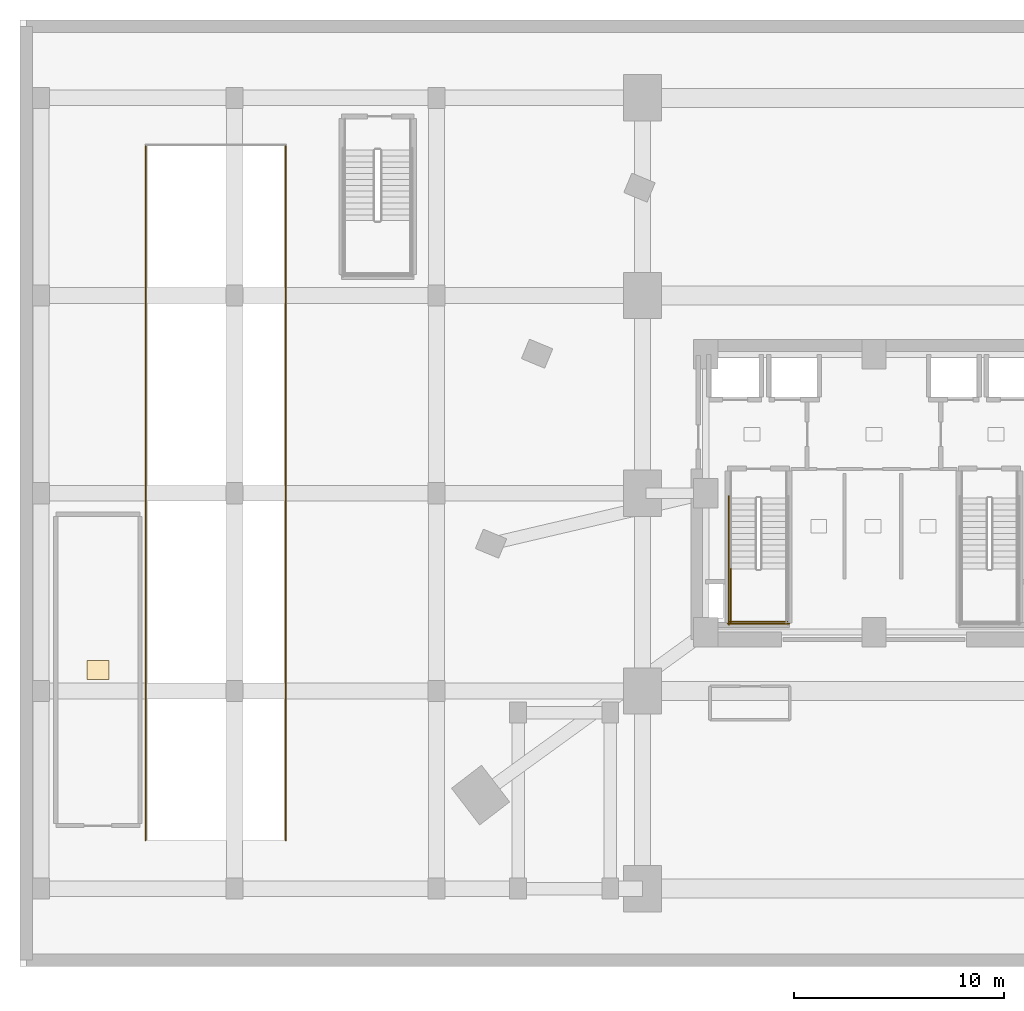
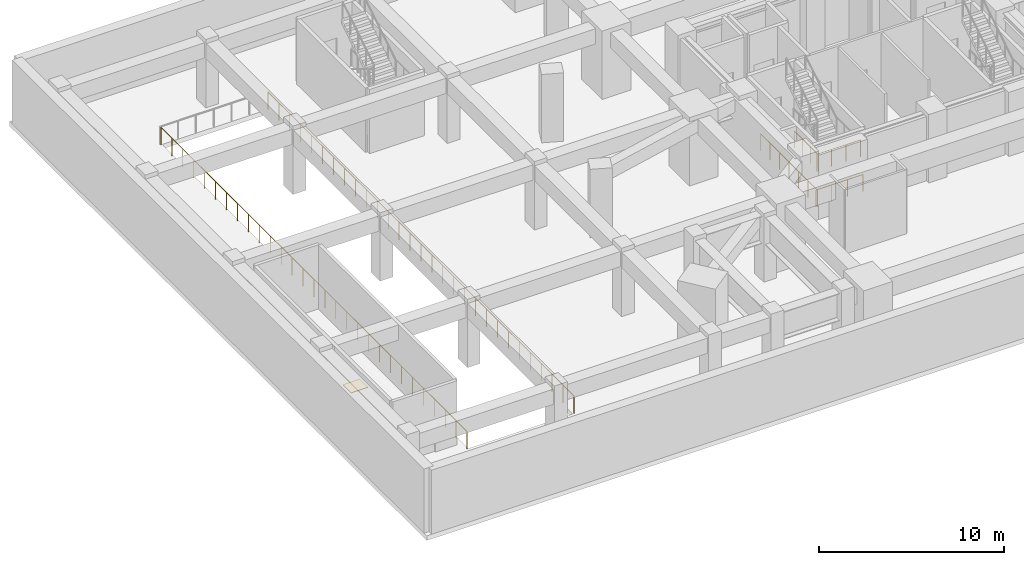
# One storey, part 5 of 9: 6 railings, 1 covering.
"""IFC4 building model written with IfcOpenShell, lengths in metres."""

from ifc_helpers import new_model, si_unit, direction, frame, origin, origin_2d, place, context, subcontext, project, spatial, rectangle, circle, extrude, material, layer, layer_set, type_object, element, save


model = new_model("IFC4")

# Units and contexts
model_context = context("Model", 3, precision=1e-05, world=origin(), true_north=direction((0.0, 1.0)))
body_context = subcontext(model_context, "Body", "Model", "MODEL_VIEW")
ifc_project = project(units=[si_unit("LENGTHUNIT", "METRE"), si_unit("AREAUNIT", "SQUARE_METRE"), si_unit("VOLUMEUNIT", "CUBIC_METRE"), si_unit("PLANEANGLEUNIT", "RADIAN"), si_unit("MASSUNIT", "GRAM", prefix="KILO")], contexts=[model_context])

# Site, building, storey
site_placement = place(None, origin())
site = spatial("IfcSite", under=ifc_project, at=site_placement, CompositionType="ELEMENT")
building_placement = place(site_placement, origin())
building = spatial("IfcBuilding", under=site, at=building_placement, Name="Ndelora Gate Hotel", CompositionType="ELEMENT")
storey_placement = place(building_placement, frame((0.0, 0.0, -4.5)))
storey = spatial("IfcBuildingStorey", under=building, at=storey_placement, Name="B01", CompositionType="ELEMENT", Elevation=-4.5)

# Covering
ifc_material_1 = material(Name="Engineered Highland Oak Parquet", Category="wood")
ifc_layer_1 = layer(ifc_material_1, 0.030029296875)
ifc_layer_set_1 = layer_set([ifc_layer_1], Name="Engineered Highland Oak Parquet")
covering_type = type_object("IfcCoveringType", Name="COV-FLR-PARQ", PredefinedType="FLOORING", material=ifc_layer_set_1)
covering_placement = place(storey_placement, frame((-36.89990234375, -8.39990234375, 0.0), z_axis=(0.0, 0.0, 1.0), x_axis=(1.0, 0.0, 0.0)))
element("IfcCovering", 1, at=covering_placement, inside=storey, type_object=covering_type, Name="B01 BOH Receiving and Housekeeping Stores Oak Parquet Flooring", PredefinedType="FLOORING", context=body_context, shape_type="SweptSolid", body=[
    extrude(rectangle(XDim=1.050048828125, YDim=0.89990234375, at=origin_2d()), origin(), (0.0, 0.0, 1.0), 0.030029296875),
])

# Railings
ifc_material_2 = material(Name="Galvanized Crash-Rated Steel Guardrail", Category="steel")
ifc_layer_2 = layer(ifc_material_2, 0.080078125)
ifc_layer_set_2 = layer_set([ifc_layer_2], Name="Galvanized Crash-Rated Steel Guardrail")
railing_type_1 = type_object("IfcRailingType", Name="RL-RAMP-GD", PredefinedType="GUARDRAIL", material=ifc_layer_set_2)
railing_1_placement = place(storey_placement, frame((-34.6298828125, -16.5, 0.0)))
element("IfcRailing", 2, at=railing_1_placement, inside=storey, type_object=railing_type_1, Name="B01 Ramp R2 Well Deck Guardrail TOP-W", PredefinedType="GUARDRAIL", context=body_context, shape_type="SweptSolid", body=[
    extrude(circle(Radius=0.02392578125, at=origin_2d()), frame((0.0, 0.0, 1.15576171875), z_axis=(0.0, 1.0, 0.0), x_axis=(-1.0, 0.0, 0.0)), (0.0, 0.0, 1.0), 33.0),
    extrude(circle(Radius=0.02099609375, at=origin_2d()), origin(), (0.0, 0.0, 1.0), 1.1318359375),
    extrude(circle(Radius=0.02099609375, at=origin_2d()), frame((0.0, 1.178466796875, 0.0)), (0.0, 0.0, 1.0), 1.1318359375),
    extrude(circle(Radius=0.02099609375, at=origin_2d()), frame((0.0, 2.357177734375, 0.0)), (0.0, 0.0, 1.0), 1.1318359375),
    extrude(circle(Radius=0.02099609375, at=origin_2d()), frame((0.0, 3.53564453125, 0.0)), (0.0, 0.0, 1.0), 1.1318359375),
    extrude(circle(Radius=0.02099609375, at=origin_2d()), frame((0.0, 4.71435546875, 0.0)), (0.0, 0.0, 1.0), 1.1318359375),
    extrude(circle(Radius=0.02099609375, at=origin_2d()), frame((0.0, 5.892822265625, 0.0)), (0.0, 0.0, 1.0), 1.1318359375),
    extrude(circle(Radius=0.02099609375, at=origin_2d()), frame((0.0, 7.071533203125, 0.0)), (0.0, 0.0, 1.0), 1.1318359375),
    extrude(circle(Radius=0.02099609375, at=origin_2d()), frame((0.0, 8.25, 0.0)), (0.0, 0.0, 1.0), 1.1318359375),
    extrude(circle(Radius=0.02099609375, at=origin_2d()), frame((0.0, 9.428466796875, 0.0)), (0.0, 0.0, 1.0), 1.1318359375),
    extrude(circle(Radius=0.02099609375, at=origin_2d()), frame((0.0, 10.607177734375, 0.0)), (0.0, 0.0, 1.0), 1.1318359375),
    extrude(circle(Radius=0.02099609375, at=origin_2d()), frame((0.0, 11.78564453125, 0.0)), (0.0, 0.0, 1.0), 1.1318359375),
    extrude(circle(Radius=0.02099609375, at=origin_2d()), frame((0.0, 12.96435546875, 0.0)), (0.0, 0.0, 1.0), 1.1318359375),
    extrude(circle(Radius=0.02099609375, at=origin_2d()), frame((0.0, 14.142822265625, 0.0)), (0.0, 0.0, 1.0), 1.1318359375),
    extrude(circle(Radius=0.02099609375, at=origin_2d()), frame((0.0, 15.321533203125, 0.0)), (0.0, 0.0, 1.0), 1.1318359375),
    extrude(circle(Radius=0.02099609375, at=origin_2d()), frame((0.0, 16.5, 0.0)), (0.0, 0.0, 1.0), 1.1318359375),
    extrude(circle(Radius=0.02099609375, at=origin_2d()), frame((0.0, 17.678466796875, 0.0)), (0.0, 0.0, 1.0), 1.1318359375),
    extrude(circle(Radius=0.02099609375, at=origin_2d()), frame((0.0, 18.857177734375, 0.0)), (0.0, 0.0, 1.0), 1.1318359375),
    extrude(circle(Radius=0.02099609375, at=origin_2d()), frame((0.0, 20.03564453125, 0.0)), (0.0, 0.0, 1.0), 1.1318359375),
    extrude(circle(Radius=0.02099609375, at=origin_2d()), frame((0.0, 21.21435546875, 0.0)), (0.0, 0.0, 1.0), 1.1318359375),
    extrude(circle(Radius=0.02099609375, at=origin_2d()), frame((0.0, 22.392822265625, 0.0)), (0.0, 0.0, 1.0), 1.1318359375),
    extrude(circle(Radius=0.02099609375, at=origin_2d()), frame((0.0, 23.571533203125, 0.0)), (0.0, 0.0, 1.0), 1.1318359375),
    extrude(circle(Radius=0.02099609375, at=origin_2d()), frame((0.0, 24.75, 0.0)), (0.0, 0.0, 1.0), 1.1318359375),
    extrude(circle(Radius=0.02099609375, at=origin_2d()), frame((0.0, 25.928466796875, 0.0)), (0.0, 0.0, 1.0), 1.1318359375),
    extrude(circle(Radius=0.02099609375, at=origin_2d()), frame((0.0, 27.107177734375, 0.0)), (0.0, 0.0, 1.0), 1.1318359375),
    extrude(circle(Radius=0.02099609375, at=origin_2d()), frame((0.0, 28.28564453125, 0.0)), (0.0, 0.0, 1.0), 1.1318359375),
    extrude(circle(Radius=0.02099609375, at=origin_2d()), frame((0.0, 29.46435546875, 0.0)), (0.0, 0.0, 1.0), 1.1318359375),
    extrude(circle(Radius=0.02099609375, at=origin_2d()), frame((0.0, 30.642822265625, 0.0)), (0.0, 0.0, 1.0), 1.1318359375),
    extrude(circle(Radius=0.02099609375, at=origin_2d()), frame((0.0, 31.821533203125, 0.0)), (0.0, 0.0, 1.0), 1.1318359375),
    extrude(circle(Radius=0.02099609375, at=origin_2d()), frame((0.0, 33.0, 0.0)), (0.0, 0.0, 1.0), 1.1318359375),
])
railing_2_placement = place(storey_placement, frame((-27.969970703125, -16.5, 0.0)))
element("IfcRailing", 3, at=railing_2_placement, inside=storey, type_object=railing_type_1, Name="B01 Ramp R2 Well Deck Guardrail TOP-E", PredefinedType="GUARDRAIL", context=body_context, shape_type="SweptSolid", body=[
    extrude(circle(Radius=0.02392578125, at=origin_2d()), frame((0.0, 0.0, 1.15576171875), z_axis=(0.0, 1.0, 0.0), x_axis=(-1.0, 0.0, 0.0)), (0.0, 0.0, 1.0), 33.0),
    extrude(circle(Radius=0.02099609375, at=origin_2d()), origin(), (0.0, 0.0, 1.0), 1.1318359375),
    extrude(circle(Radius=0.02099609375, at=origin_2d()), frame((0.0, 1.178466796875, 0.0)), (0.0, 0.0, 1.0), 1.1318359375),
    extrude(circle(Radius=0.02099609375, at=origin_2d()), frame((0.0, 2.357177734375, 0.0)), (0.0, 0.0, 1.0), 1.1318359375),
    extrude(circle(Radius=0.02099609375, at=origin_2d()), frame((0.0, 3.53564453125, 0.0)), (0.0, 0.0, 1.0), 1.1318359375),
    extrude(circle(Radius=0.02099609375, at=origin_2d()), frame((0.0, 4.71435546875, 0.0)), (0.0, 0.0, 1.0), 1.1318359375),
    extrude(circle(Radius=0.02099609375, at=origin_2d()), frame((0.0, 5.892822265625, 0.0)), (0.0, 0.0, 1.0), 1.1318359375),
    extrude(circle(Radius=0.02099609375, at=origin_2d()), frame((0.0, 7.071533203125, 0.0)), (0.0, 0.0, 1.0), 1.1318359375),
    extrude(circle(Radius=0.02099609375, at=origin_2d()), frame((0.0, 8.25, 0.0)), (0.0, 0.0, 1.0), 1.1318359375),
    extrude(circle(Radius=0.02099609375, at=origin_2d()), frame((0.0, 9.428466796875, 0.0)), (0.0, 0.0, 1.0), 1.1318359375),
    extrude(circle(Radius=0.02099609375, at=origin_2d()), frame((0.0, 10.607177734375, 0.0)), (0.0, 0.0, 1.0), 1.1318359375),
    extrude(circle(Radius=0.02099609375, at=origin_2d()), frame((0.0, 11.78564453125, 0.0)), (0.0, 0.0, 1.0), 1.1318359375),
    extrude(circle(Radius=0.02099609375, at=origin_2d()), frame((0.0, 12.96435546875, 0.0)), (0.0, 0.0, 1.0), 1.1318359375),
    extrude(circle(Radius=0.02099609375, at=origin_2d()), frame((0.0, 14.142822265625, 0.0)), (0.0, 0.0, 1.0), 1.1318359375),
    extrude(circle(Radius=0.02099609375, at=origin_2d()), frame((0.0, 15.321533203125, 0.0)), (0.0, 0.0, 1.0), 1.1318359375),
    extrude(circle(Radius=0.02099609375, at=origin_2d()), frame((0.0, 16.5, 0.0)), (0.0, 0.0, 1.0), 1.1318359375),
    extrude(circle(Radius=0.02099609375, at=origin_2d()), frame((0.0, 17.678466796875, 0.0)), (0.0, 0.0, 1.0), 1.1318359375),
    extrude(circle(Radius=0.02099609375, at=origin_2d()), frame((0.0, 18.857177734375, 0.0)), (0.0, 0.0, 1.0), 1.1318359375),
    extrude(circle(Radius=0.02099609375, at=origin_2d()), frame((0.0, 20.03564453125, 0.0)), (0.0, 0.0, 1.0), 1.1318359375),
    extrude(circle(Radius=0.02099609375, at=origin_2d()), frame((0.0, 21.21435546875, 0.0)), (0.0, 0.0, 1.0), 1.1318359375),
    extrude(circle(Radius=0.02099609375, at=origin_2d()), frame((0.0, 22.392822265625, 0.0)), (0.0, 0.0, 1.0), 1.1318359375),
    extrude(circle(Radius=0.02099609375, at=origin_2d()), frame((0.0, 23.571533203125, 0.0)), (0.0, 0.0, 1.0), 1.1318359375),
    extrude(circle(Radius=0.02099609375, at=origin_2d()), frame((0.0, 24.75, 0.0)), (0.0, 0.0, 1.0), 1.1318359375),
    extrude(circle(Radius=0.02099609375, at=origin_2d()), frame((0.0, 25.928466796875, 0.0)), (0.0, 0.0, 1.0), 1.1318359375),
    extrude(circle(Radius=0.02099609375, at=origin_2d()), frame((0.0, 27.107177734375, 0.0)), (0.0, 0.0, 1.0), 1.1318359375),
    extrude(circle(Radius=0.02099609375, at=origin_2d()), frame((0.0, 28.28564453125, 0.0)), (0.0, 0.0, 1.0), 1.1318359375),
    extrude(circle(Radius=0.02099609375, at=origin_2d()), frame((0.0, 29.46435546875, 0.0)), (0.0, 0.0, 1.0), 1.1318359375),
    extrude(circle(Radius=0.02099609375, at=origin_2d()), frame((0.0, 30.642822265625, 0.0)), (0.0, 0.0, 1.0), 1.1318359375),
    extrude(circle(Radius=0.02099609375, at=origin_2d()), frame((0.0, 31.821533203125, 0.0)), (0.0, 0.0, 1.0), 1.1318359375),
    extrude(circle(Radius=0.02099609375, at=origin_2d()), frame((0.0, 33.0, 0.0)), (0.0, 0.0, 1.0), 1.1318359375),
])
ifc_material_3 = material(Name="Painted Galvanized Steel Balustrade", Category="steel")
ifc_layer_3 = layer(ifc_material_3, 0.06005859375)
ifc_layer_set_3 = layer_set([ifc_layer_3], Name="Painted Galvanized Steel Balustrade")
railing_type_2 = type_object("IfcRailingType", Name="RL-STAIR-GD", PredefinedType="GUARDRAIL", material=ifc_layer_set_3)
railing_3_placement = place(storey_placement, frame((-6.800048828125, -3.590087890625, 2.25)))
element("IfcRailing", 4, at=railing_3_placement, inside=storey, type_object=railing_type_2, Name="B01 ST4 stair guard 3", PredefinedType="GUARDRAIL", context=body_context, shape_type="SweptSolid", body=[
    extrude(circle(Radius=0.02392578125, at=origin_2d()), frame((0.0, 0.0, 1.10595703125), z_axis=(0.0, -1.0, 0.0), x_axis=(1.0, 0.0, 0.0)), (0.0, 0.0, 1.0), 2.559814453125),
    extrude(circle(Radius=0.02099609375, at=origin_2d()), origin(), (0.0, 0.0, 1.0), 1.081787109375),
    extrude(circle(Radius=0.02099609375, at=origin_2d()), frame((0.0, -0.853271484375, 0.0)), (0.0, 0.0, 1.0), 1.081787109375),
    extrude(circle(Radius=0.02099609375, at=origin_2d()), frame((0.0, -1.70654296875, 0.0)), (0.0, 0.0, 1.0), 1.081787109375),
    extrude(circle(Radius=0.02099609375, at=origin_2d()), frame((0.0, -2.559814453125, 0.0)), (0.0, 0.0, 1.0), 1.081787109375),
])
railing_4_placement = place(storey_placement, frame((-6.85009765625, -6.10009765625, 2.25)))
element("IfcRailing", 5, at=railing_4_placement, inside=storey, type_object=railing_type_2, Name="B01 ST4 stair guard 5", PredefinedType="GUARDRAIL", context=body_context, shape_type="SweptSolid", body=[
    extrude(circle(Radius=0.02392578125, at=origin_2d()), frame((0.0, 0.0, 1.10595703125), z_axis=(1.0, 0.0, 0.0), x_axis=(0.0, 1.0, 0.0)), (0.0, 0.0, 1.0), 2.72021484375),
    extrude(circle(Radius=0.02099609375, at=origin_2d()), origin(), (0.0, 0.0, 1.0), 1.081787109375),
    extrude(circle(Radius=0.02099609375, at=origin_2d()), frame((0.90673828125, 0.0, 0.0)), (0.0, 0.0, 1.0), 1.081787109375),
    extrude(circle(Radius=0.02099609375, at=origin_2d()), frame((1.8134765625, 0.0, 0.0)), (0.0, 0.0, 1.0), 1.081787109375),
    extrude(circle(Radius=0.02099609375, at=origin_2d()), frame((2.72021484375, 0.0, 0.0)), (0.0, 0.0, 1.0), 1.081787109375),
])
railing_5_placement = place(storey_placement, frame((-6.89990234375, -0.1298828125, 0.0)))
element("IfcRailing", 6, at=railing_5_placement, inside=storey, type_object=railing_type_2, Name="B01 ST4 stair guard 10", PredefinedType="GUARDRAIL", context=body_context, shape_type="SweptSolid", body=[
    extrude(circle(Radius=0.02392578125, at=origin_2d()), frame((0.0, 0.0, 1.10595703125), z_axis=(0.0, -1.0, 0.0), x_axis=(1.0, 0.0, 0.0)), (0.0, 0.0, 1.0), 6.1201171875),
    extrude(circle(Radius=0.02099609375, at=origin_2d()), origin(), (0.0, 0.0, 1.0), 1.081787109375),
    extrude(circle(Radius=0.02099609375, at=origin_2d()), frame((0.0, -1.02001953125, 0.0)), (0.0, 0.0, 1.0), 1.081787109375),
    extrude(circle(Radius=0.02099609375, at=origin_2d()), frame((0.0, -2.0400390625, 0.0)), (0.0, 0.0, 1.0), 1.081787109375),
    extrude(circle(Radius=0.02099609375, at=origin_2d()), frame((0.0, -3.06005859375, 0.0)), (0.0, 0.0, 1.0), 1.081787109375),
    extrude(circle(Radius=0.02099609375, at=origin_2d()), frame((0.0, -4.080078125, 0.0)), (0.0, 0.0, 1.0), 1.081787109375),
    extrude(circle(Radius=0.02099609375, at=origin_2d()), frame((0.0, -5.10009765625, 0.0)), (0.0, 0.0, 1.0), 1.081787109375),
    extrude(circle(Radius=0.02099609375, at=origin_2d()), frame((0.0, -6.1201171875, 0.0)), (0.0, 0.0, 1.0), 1.081787109375),
])
railing_6_placement = place(storey_placement, frame((-6.949951171875, -6.199951171875, 0.0)))
element("IfcRailing", 7, at=railing_6_placement, inside=storey, type_object=railing_type_2, Name="B01 ST4 stair guard 12", PredefinedType="GUARDRAIL", context=body_context, shape_type="SweptSolid", body=[
    extrude(circle(Radius=0.02392578125, at=origin_2d()), frame((0.0, 0.0, 1.10595703125), z_axis=(1.0, 0.0, 0.0), x_axis=(0.0, 1.0, 0.0)), (0.0, 0.0, 1.0), 2.919921875),
    extrude(circle(Radius=0.02099609375, at=origin_2d()), origin(), (0.0, 0.0, 1.0), 1.081787109375),
    extrude(circle(Radius=0.02099609375, at=origin_2d()), frame((0.973388671875, 0.0, 0.0)), (0.0, 0.0, 1.0), 1.081787109375),
    extrude(circle(Radius=0.02099609375, at=origin_2d()), frame((1.946533203125, 0.0, 0.0)), (0.0, 0.0, 1.0), 1.081787109375),
    extrude(circle(Radius=0.02099609375, at=origin_2d()), frame((2.919921875, 0.0, 0.0)), (0.0, 0.0, 1.0), 1.081787109375),
])

save(model, "model.ifc")
